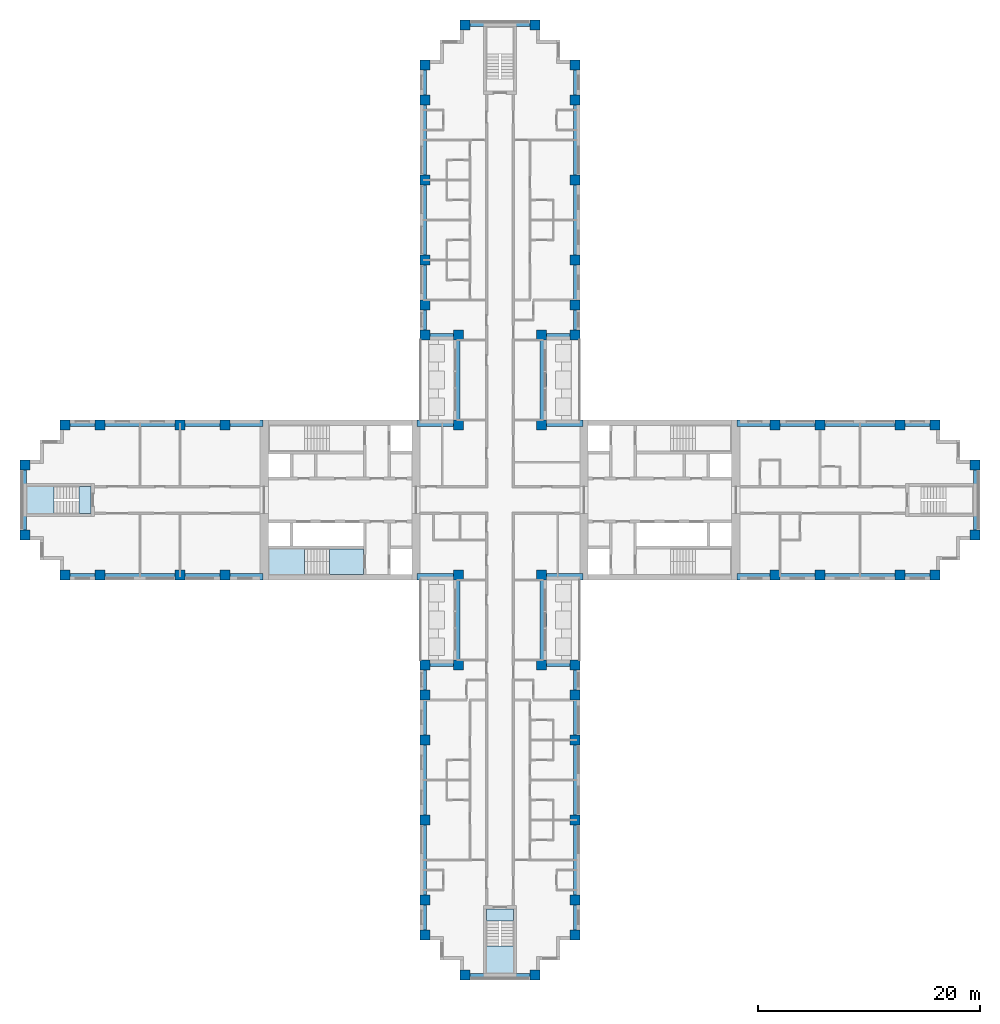
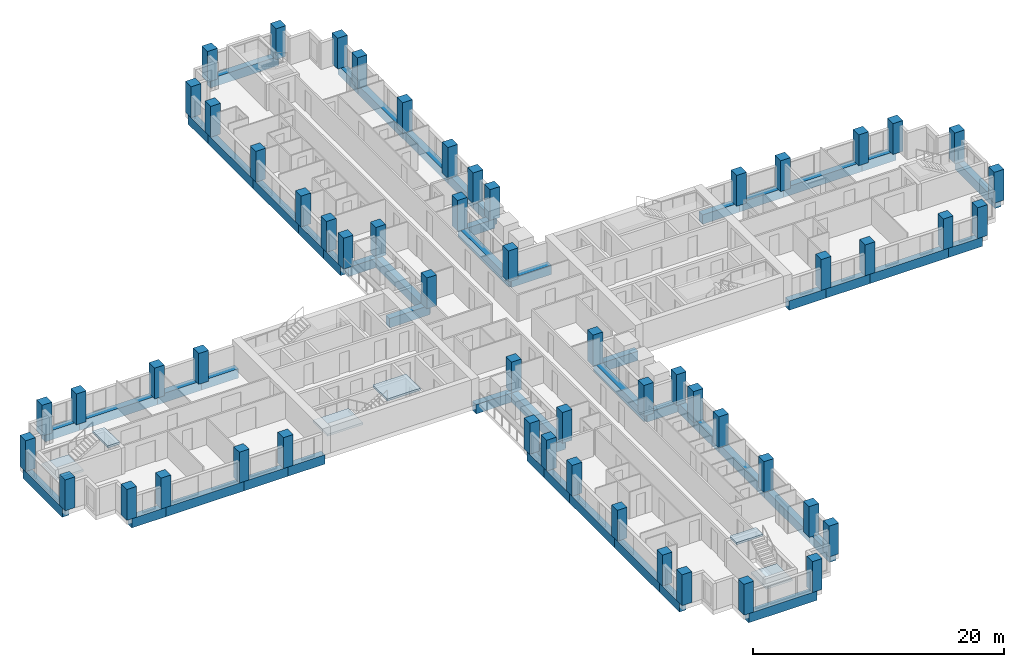
# One storey, part 1 of 15: 56 columns, 52 beams, 6 slabs, 3 elements without a shape of their own.
"""IFC4 building model written with IfcOpenShell, lengths in metres."""

from ifc_helpers import new_model, si_unit, direction, frame, origin, origin_2d, place, context, subcontext, project, spatial, polyline, rectangle, outline, extrude, material, layer, layer_set, material_profile, profile_set, type_object, element, aggregate, save


model = new_model("IFC4")

# Units and contexts
model_context = context("Model", 3, precision=1e-05, world=origin(), true_north=direction((0.0, 1.0)))
body_context = subcontext(model_context, "Body", "Model", "MODEL_VIEW")
ifc_project = project(units=[si_unit("LENGTHUNIT", "METRE"), si_unit("AREAUNIT", "SQUARE_METRE"), si_unit("VOLUMEUNIT", "CUBIC_METRE"), si_unit("PLANEANGLEUNIT", "RADIAN"), si_unit("MASSUNIT", "GRAM", prefix="KILO")], contexts=[model_context])

# Site, building, storey
site_placement = place(None, origin())
site = spatial("IfcSite", under=ifc_project, at=site_placement, CompositionType="ELEMENT")
building_placement = place(site_placement, origin())
building = spatial("IfcBuilding", under=site, at=building_placement, Name="Fustian Cross Tower", CompositionType="ELEMENT")
storey_placement = place(building_placement, frame((0.0, 0.0, 29.699951171875)))
storey = spatial("IfcBuildingStorey", under=building, at=storey_placement, Name="L08", CompositionType="ELEMENT", Elevation=29.699951171875)

# Columns
ifc_material_1 = material(Name="Concrete C70/85", Category="concrete")
ifc_material_profile_1 = material_profile(ifc_material_1, rectangle(XDim=0.89990234375, YDim=0.89990234375, at=origin_2d()), Name="RC 900x900")
ifc_profile_set_1 = profile_set([ifc_material_profile_1], Name="Concrete C70/85")
column_type = type_object("IfcColumnType", Name="COLUMN RC 900x900 C70/85", PredefinedType="COLUMN", material=ifc_profile_set_1)
for number, where, z_axis, x_axis, name in (
    (1, (-42.75, -3.14990234375, 0.0), (0.0, 0.0, 1.0), (1.0, 0.0, 0.0), "COLUMN 001"),
    (2, (-42.75, 3.14990234375, 0.0), (0.0, 0.0, 1.0), (1.0, 0.0, 0.0), "COLUMN 002"),
    (3, (-39.14990234375, -6.75, 0.0), (0.0, 0.0, 1.0), (1.0, 0.0, 0.0), "COLUMN 003"),
    (4, (-39.14990234375, 6.75, 0.0), (0.0, 0.0, 1.0), (1.0, 0.0, 0.0), "COLUMN 004"),
    (5, (-36.0, -6.75, 0.0), (0.0, 0.0, 1.0), (1.0, 0.0, 0.0), "COLUMN 005"),
    (6, (-36.0, 6.75, 0.0), (0.0, 0.0, 1.0), (1.0, 0.0, 0.0), "COLUMN 006"),
    (7, (-28.800048828125, -6.75, 0.0), (0.0, 0.0, 1.0), (1.0, 0.0, 0.0), "COLUMN 007"),
    (8, (-28.800048828125, 6.75, 0.0), (0.0, 0.0, 1.0), (1.0, 0.0, 0.0), "COLUMN 010"),
    (9, (-24.75, -6.75, 0.0), (0.0, 0.0, 1.0), (1.0, 0.0, 0.0), "COLUMN 011"),
    (10, (-24.75, 6.75, 0.0), (0.0, 0.0, 1.0), (1.0, 0.0, 0.0), "COLUMN 012"),
    (11, (-6.75, -39.14990234375, 0.0), (0.0, 0.0, 1.0), (1.0, 0.0, 0.0), "COLUMN 013"),
    (12, (-6.75, -36.0, 0.0), (0.0, 0.0, 1.0), (1.0, 0.0, 0.0), "COLUMN 014"),
    (13, (-6.75, -28.800048828125, 0.0), (0.0, 0.0, 1.0), (1.0, 0.0, 0.0), "COLUMN 015"),
    (14, (-6.75, -21.60009765625, 0.0), (0.0, 0.0, 1.0), (1.0, 0.0, 0.0), "COLUMN 016"),
    (15, (-6.75, -17.550048828125, 0.0), (0.0, 0.0, 1.0), (1.0, 0.0, 0.0), "COLUMN 017"),
    (16, (-6.75, -14.85009765625, 0.0), (0.0, 0.0, 1.0), (1.0, 0.0, 0.0), "COLUMN 018"),
    (17, (-6.75, 14.85009765625, 0.0), (0.0, 0.0, 1.0), (1.0, 0.0, 0.0), "COLUMN 019"),
    (18, (-6.75, 17.550048828125, 0.0), (0.0, 0.0, 1.0), (1.0, 0.0, 0.0), "COLUMN 020"),
    (19, (-6.75, 21.60009765625, 0.0), (0.0, 0.0, 1.0), (1.0, 0.0, 0.0), "COLUMN 021"),
    (20, (-6.75, 28.800048828125, 0.0), (0.0, 0.0, 1.0), (1.0, 0.0, 0.0), "COLUMN 022"),
    (21, (-6.75, 36.0, 0.0), (0.0, 0.0, 1.0), (1.0, 0.0, 0.0), "COLUMN 023"),
    (22, (-6.75, 39.14990234375, 0.0), (0.0, 0.0, 1.0), (1.0, 0.0, 0.0), "COLUMN 024"),
    (23, (-3.75, -14.85009765625, 0.0), (0.0, 0.0, 1.0), (1.0, 0.0, 0.0), "COLUMN 025"),
    (24, (-3.75, -6.75, 0.0), (0.0, 0.0, 1.0), (1.0, 0.0, 0.0), "COLUMN 026"),
    (25, (-3.75, 6.75, 0.0), (0.0, 0.0, 1.0), (1.0, 0.0, 0.0), "COLUMN 027"),
    (26, (-3.75, 14.85009765625, 0.0), (0.0, 0.0, 1.0), (1.0, 0.0, 0.0), "COLUMN 028"),
    (27, (-3.14990234375, -42.75, 0.0), (0.0, 0.0, 1.0), (1.0, 0.0, 0.0), "COLUMN 029"),
    (28, (-3.14990234375, 42.75, 0.0), (0.0, 0.0, 1.0), (1.0, 0.0, 0.0), "COLUMN 032"),
    (29, (3.14990234375, -42.75, 0.0), (0.0, 0.0, 1.0), (1.0, 0.0, 0.0), "COLUMN 033"),
    (30, (3.14990234375, 42.75, 0.0), (0.0, 0.0, 1.0), (1.0, 0.0, 0.0), "COLUMN 036"),
    (31, (3.75, -14.85009765625, 0.0), (0.0, 0.0, 1.0), (1.0, 0.0, 0.0), "COLUMN 037"),
    (32, (3.75, -6.75, 0.0), (0.0, 0.0, 1.0), (1.0, 0.0, 0.0), "COLUMN 038"),
    (33, (3.75, 6.75, 0.0), (0.0, 0.0, 1.0), (1.0, 0.0, 0.0), "COLUMN 039"),
    (34, (3.75, 14.85009765625, 0.0), (0.0, 0.0, 1.0), (1.0, 0.0, 0.0), "COLUMN 040"),
    (35, (6.75, -39.14990234375, 0.0), (0.0, 0.0, 1.0), (1.0, 0.0, 0.0), "COLUMN 041"),
    (36, (6.75, -36.0, 0.0), (0.0, 0.0, 1.0), (1.0, 0.0, 0.0), "COLUMN 042"),
    (37, (6.75, -28.800048828125, 0.0), (0.0, 0.0, 1.0), (1.0, 0.0, 0.0), "COLUMN 043"),
    (38, (6.75, -21.60009765625, 0.0), (0.0, 0.0, 1.0), (1.0, 0.0, 0.0), "COLUMN 044"),
    (39, (6.75, -17.550048828125, 0.0), (0.0, 0.0, 1.0), (1.0, 0.0, 0.0), "COLUMN 045"),
    (40, (6.75, -14.85009765625, 0.0), (0.0, 0.0, 1.0), (1.0, 0.0, 0.0), "COLUMN 046"),
    (41, (6.75, 14.85009765625, 0.0), (0.0, 0.0, 1.0), (1.0, 0.0, 0.0), "COLUMN 047"),
    (42, (6.75, 17.550048828125, 0.0), (0.0, 0.0, 1.0), (1.0, 0.0, 0.0), "COLUMN 048"),
    (43, (6.75, 21.60009765625, 0.0), (0.0, 0.0, 1.0), (1.0, 0.0, 0.0), "COLUMN 049"),
    (44, (6.75, 28.800048828125, 0.0), (0.0, 0.0, 1.0), (1.0, 0.0, 0.0), "COLUMN 050"),
    (45, (6.75, 36.0, 0.0), (0.0, 0.0, 1.0), (1.0, 0.0, 0.0), "COLUMN 051"),
    (46, (6.75, 39.14990234375, 0.0), (0.0, 0.0, 1.0), (1.0, 0.0, 0.0), "COLUMN 052"),
    (47, (24.75, -6.75, 0.0), (0.0, 0.0, 1.0), (1.0, 0.0, 0.0), "COLUMN 053"),
    (48, (24.75, 6.75, 0.0), (0.0, 0.0, 1.0), (1.0, 0.0, 0.0), "COLUMN 054"),
    (49, (28.800048828125, -6.75, 0.0), (0.0, 0.0, 1.0), (1.0, 0.0, 0.0), "COLUMN 055"),
    (50, (28.800048828125, 6.75, 0.0), (0.0, 0.0, 1.0), (1.0, 0.0, 0.0), "COLUMN 058"),
    (51, (36.0, -6.75, 0.0), (0.0, 0.0, 1.0), (1.0, 0.0, 0.0), "COLUMN 059"),
    (52, (36.0, 6.75, 0.0), (0.0, 0.0, 1.0), (1.0, 0.0, 0.0), "COLUMN 060"),
    (53, (39.14990234375, -6.75, 0.0), (0.0, 0.0, 1.0), (1.0, 0.0, 0.0), "COLUMN 061"),
    (54, (39.14990234375, 6.75, 0.0), (0.0, 0.0, 1.0), (1.0, 0.0, 0.0), "COLUMN 062"),
    (55, (42.75, -3.14990234375, 0.0), (0.0, 0.0, 1.0), (1.0, 0.0, 0.0), "COLUMN 063"),
    (56, (42.75, 3.14990234375, 0.0), (0.0, 0.0, 1.0), (1.0, 0.0, 0.0), "COLUMN 064"),
):
    element("IfcColumn", number, at=place(storey_placement, frame(where, z_axis=z_axis, x_axis=x_axis)), inside=storey, type_object=column_type, Name=name, PredefinedType="COLUMN", context=body_context, shape_type="SweptSolid", body=[
        extrude(rectangle(XDim=0.89990234375, YDim=0.89990234375, at=origin_2d()), origin(), (0.0, 0.0, 1.0), 3.0),
    ])

# Beams
ifc_material_2 = material(Name="Concrete C50/60", Category="concrete")
ifc_material_profile_2 = material_profile(ifc_material_2, rectangle(XDim=0.60009765625, YDim=0.89990234375, at=origin_2d()), Name="RC 600x900")
ifc_profile_set_2 = profile_set([ifc_material_profile_2], Name="Concrete C50/60")
beam_type = type_object("IfcBeamType", Name="EDGE BEAM RC 600x900 C50/60", PredefinedType="SPANDREL", material=ifc_profile_set_2)
beam_1_placement = place(storey_placement, frame((21.35009765625, -6.89990234375, -0.449951171875), z_axis=(1.0, 0.0, 0.0), x_axis=(0.0, 1.0, 0.0)))
element("IfcBeam", 57, at=beam_1_placement, inside=storey, type_object=beam_type, Name="EDGE BEAM L08-01", PredefinedType="SPANDREL", context=body_context, shape_type="SweptSolid", body=[
    extrude(rectangle(XDim=0.60009765625, YDim=0.89990234375, at=origin_2d()), origin(), (0.0, 0.0, 1.0), 3.39990234375),
])
beam_2_placement = place(storey_placement, frame((24.75, -6.89990234375, -0.449951171875), z_axis=(1.0, 0.0, 0.0), x_axis=(0.0, 1.0, 0.0)))
element("IfcBeam", 58, at=beam_2_placement, inside=storey, type_object=beam_type, Name="EDGE BEAM L08-02", PredefinedType="SPANDREL", context=body_context, shape_type="SweptSolid", body=[
    extrude(rectangle(XDim=0.60009765625, YDim=0.89990234375, at=origin_2d()), origin(), (0.0, 0.0, 1.0), 4.050048828125),
])
beam_3_placement = place(storey_placement, frame((28.800048828125, -6.89990234375, -0.449951171875), z_axis=(1.0, 0.0, 0.0), x_axis=(0.0, 1.0, 0.0)))
element("IfcBeam", 59, at=beam_3_placement, inside=storey, type_object=beam_type, Name="EDGE BEAM L08-03", PredefinedType="SPANDREL", context=body_context, shape_type="SweptSolid", body=[
    extrude(rectangle(XDim=0.60009765625, YDim=0.89990234375, at=origin_2d()), origin(), (0.0, 0.0, 1.0), 7.199951171875),
])
beam_4_placement = place(storey_placement, frame((36.0, -6.89990234375, -0.449951171875), z_axis=(1.0, 0.0, 0.0), x_axis=(0.0, 1.0, 0.0)))
element("IfcBeam", 60, at=beam_4_placement, inside=storey, type_object=beam_type, Name="EDGE BEAM L08-04", PredefinedType="SPANDREL", context=body_context, shape_type="SweptSolid", body=[
    extrude(rectangle(XDim=0.60009765625, YDim=0.89990234375, at=origin_2d()), origin(), (0.0, 0.0, 1.0), 3.14990234375),
])
beam_5_placement = place(storey_placement, frame((42.89990234375, -3.14990234375, -0.449951171875), z_axis=(0.0, 1.0, 0.0), x_axis=(-1.0, 0.0, 0.0)))
element("IfcBeam", 61, at=beam_5_placement, inside=storey, type_object=beam_type, Name="EDGE BEAM L08-05", PredefinedType="SPANDREL", context=body_context, shape_type="SweptSolid", body=[
    extrude(rectangle(XDim=0.60009765625, YDim=0.89990234375, at=origin_2d()), origin(), (0.0, 0.0, 1.0), 6.2998046875),
])
beam_6_placement = place(storey_placement, frame((39.14990234375, 6.89990234375, -0.449951171875), z_axis=(-1.0, 0.0, 0.0), x_axis=(0.0, -1.0, 0.0)))
element("IfcBeam", 62, at=beam_6_placement, inside=storey, type_object=beam_type, Name="EDGE BEAM L08-06", PredefinedType="SPANDREL", context=body_context, shape_type="SweptSolid", body=[
    extrude(rectangle(XDim=0.60009765625, YDim=0.89990234375, at=origin_2d()), origin(), (0.0, 0.0, 1.0), 3.14990234375),
])
beam_7_placement = place(storey_placement, frame((36.0, 6.89990234375, -0.449951171875), z_axis=(-1.0, 0.0, 0.0), x_axis=(0.0, -1.0, 0.0)))
element("IfcBeam", 63, at=beam_7_placement, inside=storey, type_object=beam_type, Name="EDGE BEAM L08-07", PredefinedType="SPANDREL", context=body_context, shape_type="SweptSolid", body=[
    extrude(rectangle(XDim=0.60009765625, YDim=0.89990234375, at=origin_2d()), origin(), (0.0, 0.0, 1.0), 7.199951171875),
])
beam_8_placement = place(storey_placement, frame((28.800048828125, 6.89990234375, -0.449951171875), z_axis=(-1.0, 0.0, 0.0), x_axis=(0.0, -1.0, 0.0)))
element("IfcBeam", 64, at=beam_8_placement, inside=storey, type_object=beam_type, Name="EDGE BEAM L08-08", PredefinedType="SPANDREL", context=body_context, shape_type="SweptSolid", body=[
    extrude(rectangle(XDim=0.60009765625, YDim=0.89990234375, at=origin_2d()), origin(), (0.0, 0.0, 1.0), 4.050048828125),
])
beam_9_placement = place(storey_placement, frame((24.75, 6.89990234375, -0.449951171875), z_axis=(-1.0, 0.0, 0.0), x_axis=(0.0, -1.0, 0.0)))
element("IfcBeam", 65, at=beam_9_placement, inside=storey, type_object=beam_type, Name="EDGE BEAM L08-09", PredefinedType="SPANDREL", context=body_context, shape_type="SweptSolid", body=[
    extrude(rectangle(XDim=0.60009765625, YDim=0.89990234375, at=origin_2d()), origin(), (0.0, 0.0, 1.0), 3.39990234375),
])
beam_10_placement = place(storey_placement, frame((7.449951171875, 6.89990234375, -0.449951171875), z_axis=(-1.0, 0.0, 0.0), x_axis=(0.0, -1.0, 0.0)))
element("IfcBeam", 66, at=beam_10_placement, inside=storey, type_object=beam_type, Name="EDGE BEAM L08-10", PredefinedType="SPANDREL", context=body_context, shape_type="SweptSolid", body=[
    extrude(rectangle(XDim=0.60009765625, YDim=0.89990234375, at=origin_2d()), origin(), (0.0, 0.0, 1.0), 3.699951171875),
])
beam_11_placement = place(storey_placement, frame((3.89990234375, 6.75, -0.449951171875), z_axis=(0.0, 1.0, 0.0), x_axis=(-1.0, 0.0, 0.0)))
element("IfcBeam", 67, at=beam_11_placement, inside=storey, type_object=beam_type, Name="EDGE BEAM L08-11", PredefinedType="SPANDREL", context=body_context, shape_type="SweptSolid", body=[
    extrude(rectangle(XDim=0.60009765625, YDim=0.89990234375, at=origin_2d()), origin(), (0.0, 0.0, 1.0), 8.10009765625),
])
beam_12_placement = place(storey_placement, frame((3.75, 14.699951171875, -0.449951171875), z_axis=(1.0, 0.0, 0.0), x_axis=(0.0, 1.0, 0.0)))
element("IfcBeam", 68, at=beam_12_placement, inside=storey, type_object=beam_type, Name="EDGE BEAM L08-12", PredefinedType="SPANDREL", context=body_context, shape_type="SweptSolid", body=[
    extrude(rectangle(XDim=0.60009765625, YDim=0.89990234375, at=origin_2d()), origin(), (0.0, 0.0, 1.0), 3.0),
])
beam_13_placement = place(storey_placement, frame((6.89990234375, 14.85009765625, -0.449951171875), z_axis=(0.0, 1.0, 0.0), x_axis=(-1.0, 0.0, 0.0)))
element("IfcBeam", 69, at=beam_13_placement, inside=storey, type_object=beam_type, Name="EDGE BEAM L08-13", PredefinedType="SPANDREL", context=body_context, shape_type="SweptSolid", body=[
    extrude(rectangle(XDim=0.60009765625, YDim=0.89990234375, at=origin_2d()), origin(), (0.0, 0.0, 1.0), 2.699951171875),
])
beam_14_placement = place(storey_placement, frame((6.89990234375, 17.550048828125, -0.449951171875), z_axis=(0.0, 1.0, 0.0), x_axis=(-1.0, 0.0, 0.0)))
element("IfcBeam", 70, at=beam_14_placement, inside=storey, type_object=beam_type, Name="EDGE BEAM L08-14", PredefinedType="SPANDREL", context=body_context, shape_type="SweptSolid", body=[
    extrude(rectangle(XDim=0.60009765625, YDim=0.89990234375, at=origin_2d()), origin(), (0.0, 0.0, 1.0), 4.050048828125),
])
for number, where, z_axis, x_axis, name in (
    (71, (6.89990234375, 21.60009765625, -0.449951171875), (0.0, 1.0, 0.0), (-1.0, 0.0, 0.0), "EDGE BEAM L08-15"),
    (72, (6.89990234375, 28.800048828125, -0.449951171875), (0.0, 1.0, 0.0), (-1.0, 0.0, 0.0), "EDGE BEAM L08-16"),
):
    element("IfcBeam", number, at=place(storey_placement, frame(where, z_axis=z_axis, x_axis=x_axis)), inside=storey, type_object=beam_type, Name=name, PredefinedType="SPANDREL", context=body_context, shape_type="SweptSolid", body=[
        extrude(rectangle(XDim=0.60009765625, YDim=0.89990234375, at=origin_2d()), origin(), (0.0, 0.0, 1.0), 7.199951171875),
    ])
beam_15_placement = place(storey_placement, frame((6.89990234375, 36.0, -0.449951171875), z_axis=(0.0, 1.0, 0.0), x_axis=(-1.0, 0.0, 0.0)))
element("IfcBeam", 73, at=beam_15_placement, inside=storey, type_object=beam_type, Name="EDGE BEAM L08-17", PredefinedType="SPANDREL", context=body_context, shape_type="SweptSolid", body=[
    extrude(rectangle(XDim=0.60009765625, YDim=0.89990234375, at=origin_2d()), origin(), (0.0, 0.0, 1.0), 3.14990234375),
])
beam_16_placement = place(storey_placement, frame((3.14990234375, 42.89990234375, -0.449951171875), z_axis=(-1.0, 0.0, 0.0), x_axis=(0.0, -1.0, 0.0)))
element("IfcBeam", 74, at=beam_16_placement, inside=storey, type_object=beam_type, Name="EDGE BEAM L08-18", PredefinedType="SPANDREL", context=body_context, shape_type="SweptSolid", body=[
    extrude(rectangle(XDim=0.60009765625, YDim=0.89990234375, at=origin_2d()), origin(), (0.0, 0.0, 1.0), 6.2998046875),
])
beam_17_placement = place(storey_placement, frame((-6.89990234375, 39.14990234375, -0.449951171875), z_axis=(0.0, -1.0, 0.0), x_axis=(1.0, 0.0, 0.0)))
element("IfcBeam", 75, at=beam_17_placement, inside=storey, type_object=beam_type, Name="EDGE BEAM L08-19", PredefinedType="SPANDREL", context=body_context, shape_type="SweptSolid", body=[
    extrude(rectangle(XDim=0.60009765625, YDim=0.89990234375, at=origin_2d()), origin(), (0.0, 0.0, 1.0), 3.14990234375),
])
for number, where, z_axis, x_axis, name in (
    (76, (-6.89990234375, 36.0, -0.449951171875), (0.0, -1.0, 0.0), (1.0, 0.0, 0.0), "EDGE BEAM L08-20"),
    (77, (-6.89990234375, 28.800048828125, -0.449951171875), (0.0, -1.0, 0.0), (1.0, 0.0, 0.0), "EDGE BEAM L08-21"),
):
    element("IfcBeam", number, at=place(storey_placement, frame(where, z_axis=z_axis, x_axis=x_axis)), inside=storey, type_object=beam_type, Name=name, PredefinedType="SPANDREL", context=body_context, shape_type="SweptSolid", body=[
        extrude(rectangle(XDim=0.60009765625, YDim=0.89990234375, at=origin_2d()), origin(), (0.0, 0.0, 1.0), 7.199951171875),
    ])
beam_18_placement = place(storey_placement, frame((-6.89990234375, 21.60009765625, -0.449951171875), z_axis=(0.0, -1.0, 0.0), x_axis=(1.0, 0.0, 0.0)))
element("IfcBeam", 78, at=beam_18_placement, inside=storey, type_object=beam_type, Name="EDGE BEAM L08-22", PredefinedType="SPANDREL", context=body_context, shape_type="SweptSolid", body=[
    extrude(rectangle(XDim=0.60009765625, YDim=0.89990234375, at=origin_2d()), origin(), (0.0, 0.0, 1.0), 4.050048828125),
])
beam_19_placement = place(storey_placement, frame((-6.89990234375, 17.550048828125, -0.449951171875), z_axis=(0.0, -1.0, 0.0), x_axis=(1.0, 0.0, 0.0)))
element("IfcBeam", 79, at=beam_19_placement, inside=storey, type_object=beam_type, Name="EDGE BEAM L08-23", PredefinedType="SPANDREL", context=body_context, shape_type="SweptSolid", body=[
    extrude(rectangle(XDim=0.60009765625, YDim=0.89990234375, at=origin_2d()), origin(), (0.0, 0.0, 1.0), 2.699951171875),
])
beam_20_placement = place(storey_placement, frame((-6.75, 14.699951171875, -0.449951171875), z_axis=(1.0, 0.0, 0.0), x_axis=(0.0, 1.0, 0.0)))
element("IfcBeam", 80, at=beam_20_placement, inside=storey, type_object=beam_type, Name="EDGE BEAM L08-24", PredefinedType="SPANDREL", context=body_context, shape_type="SweptSolid", body=[
    extrude(rectangle(XDim=0.60009765625, YDim=0.89990234375, at=origin_2d()), origin(), (0.0, 0.0, 1.0), 3.0),
])
beam_21_placement = place(storey_placement, frame((-3.89990234375, 14.85009765625, -0.449951171875), z_axis=(0.0, -1.0, 0.0), x_axis=(1.0, 0.0, 0.0)))
element("IfcBeam", 81, at=beam_21_placement, inside=storey, type_object=beam_type, Name="EDGE BEAM L08-25", PredefinedType="SPANDREL", context=body_context, shape_type="SweptSolid", body=[
    extrude(rectangle(XDim=0.60009765625, YDim=0.89990234375, at=origin_2d()), origin(), (0.0, 0.0, 1.0), 8.10009765625),
])
beam_22_placement = place(storey_placement, frame((-3.75, 6.89990234375, -0.449951171875), z_axis=(-1.0, 0.0, 0.0), x_axis=(0.0, -1.0, 0.0)))
element("IfcBeam", 82, at=beam_22_placement, inside=storey, type_object=beam_type, Name="EDGE BEAM L08-26", PredefinedType="SPANDREL", context=body_context, shape_type="SweptSolid", body=[
    extrude(rectangle(XDim=0.60009765625, YDim=0.89990234375, at=origin_2d()), origin(), (0.0, 0.0, 1.0), 3.699951171875),
])
beam_23_placement = place(storey_placement, frame((-21.35009765625, 6.89990234375, -0.449951171875), z_axis=(-1.0, 0.0, 0.0), x_axis=(0.0, -1.0, 0.0)))
element("IfcBeam", 83, at=beam_23_placement, inside=storey, type_object=beam_type, Name="EDGE BEAM L08-27", PredefinedType="SPANDREL", context=body_context, shape_type="SweptSolid", body=[
    extrude(rectangle(XDim=0.60009765625, YDim=0.89990234375, at=origin_2d()), origin(), (0.0, 0.0, 1.0), 3.39990234375),
])
beam_24_placement = place(storey_placement, frame((-24.75, 6.89990234375, -0.449951171875), z_axis=(-1.0, 0.0, 0.0), x_axis=(0.0, -1.0, 0.0)))
element("IfcBeam", 84, at=beam_24_placement, inside=storey, type_object=beam_type, Name="EDGE BEAM L08-28", PredefinedType="SPANDREL", context=body_context, shape_type="SweptSolid", body=[
    extrude(rectangle(XDim=0.60009765625, YDim=0.89990234375, at=origin_2d()), origin(), (0.0, 0.0, 1.0), 4.050048828125),
])
beam_25_placement = place(storey_placement, frame((-28.800048828125, 6.89990234375, -0.449951171875), z_axis=(-1.0, 0.0, 0.0), x_axis=(0.0, -1.0, 0.0)))
element("IfcBeam", 85, at=beam_25_placement, inside=storey, type_object=beam_type, Name="EDGE BEAM L08-29", PredefinedType="SPANDREL", context=body_context, shape_type="SweptSolid", body=[
    extrude(rectangle(XDim=0.60009765625, YDim=0.89990234375, at=origin_2d()), origin(), (0.0, 0.0, 1.0), 7.199951171875),
])
beam_26_placement = place(storey_placement, frame((-36.0, 6.89990234375, -0.449951171875), z_axis=(-1.0, 0.0, 0.0), x_axis=(0.0, -1.0, 0.0)))
element("IfcBeam", 86, at=beam_26_placement, inside=storey, type_object=beam_type, Name="EDGE BEAM L08-30", PredefinedType="SPANDREL", context=body_context, shape_type="SweptSolid", body=[
    extrude(rectangle(XDim=0.60009765625, YDim=0.89990234375, at=origin_2d()), origin(), (0.0, 0.0, 1.0), 3.14990234375),
])
beam_27_placement = place(storey_placement, frame((-42.89990234375, 3.14990234375, -0.449951171875), z_axis=(0.0, -1.0, 0.0), x_axis=(1.0, 0.0, 0.0)))
element("IfcBeam", 87, at=beam_27_placement, inside=storey, type_object=beam_type, Name="EDGE BEAM L08-31", PredefinedType="SPANDREL", context=body_context, shape_type="SweptSolid", body=[
    extrude(rectangle(XDim=0.60009765625, YDim=0.89990234375, at=origin_2d()), origin(), (0.0, 0.0, 1.0), 6.2998046875),
])
beam_28_placement = place(storey_placement, frame((-39.14990234375, -6.89990234375, -0.449951171875), z_axis=(1.0, 0.0, 0.0), x_axis=(0.0, 1.0, 0.0)))
element("IfcBeam", 88, at=beam_28_placement, inside=storey, type_object=beam_type, Name="EDGE BEAM L08-32", PredefinedType="SPANDREL", context=body_context, shape_type="SweptSolid", body=[
    extrude(rectangle(XDim=0.60009765625, YDim=0.89990234375, at=origin_2d()), origin(), (0.0, 0.0, 1.0), 3.14990234375),
])
beam_29_placement = place(storey_placement, frame((-36.0, -6.89990234375, -0.449951171875), z_axis=(1.0, 0.0, 0.0), x_axis=(0.0, 1.0, 0.0)))
element("IfcBeam", 89, at=beam_29_placement, inside=storey, type_object=beam_type, Name="EDGE BEAM L08-33", PredefinedType="SPANDREL", context=body_context, shape_type="SweptSolid", body=[
    extrude(rectangle(XDim=0.60009765625, YDim=0.89990234375, at=origin_2d()), origin(), (0.0, 0.0, 1.0), 7.199951171875),
])
beam_30_placement = place(storey_placement, frame((-28.800048828125, -6.89990234375, -0.449951171875), z_axis=(1.0, 0.0, 0.0), x_axis=(0.0, 1.0, 0.0)))
element("IfcBeam", 90, at=beam_30_placement, inside=storey, type_object=beam_type, Name="EDGE BEAM L08-34", PredefinedType="SPANDREL", context=body_context, shape_type="SweptSolid", body=[
    extrude(rectangle(XDim=0.60009765625, YDim=0.89990234375, at=origin_2d()), origin(), (0.0, 0.0, 1.0), 4.050048828125),
])
beam_31_placement = place(storey_placement, frame((-24.75, -6.89990234375, -0.449951171875), z_axis=(1.0, 0.0, 0.0), x_axis=(0.0, 1.0, 0.0)))
element("IfcBeam", 91, at=beam_31_placement, inside=storey, type_object=beam_type, Name="EDGE BEAM L08-35", PredefinedType="SPANDREL", context=body_context, shape_type="SweptSolid", body=[
    extrude(rectangle(XDim=0.60009765625, YDim=0.89990234375, at=origin_2d()), origin(), (0.0, 0.0, 1.0), 3.39990234375),
])
beam_32_placement = place(storey_placement, frame((-7.449951171875, -6.89990234375, -0.449951171875), z_axis=(1.0, 0.0, 0.0), x_axis=(0.0, 1.0, 0.0)))
element("IfcBeam", 92, at=beam_32_placement, inside=storey, type_object=beam_type, Name="EDGE BEAM L08-36", PredefinedType="SPANDREL", context=body_context, shape_type="SweptSolid", body=[
    extrude(rectangle(XDim=0.60009765625, YDim=0.89990234375, at=origin_2d()), origin(), (0.0, 0.0, 1.0), 3.699951171875),
])
beam_33_placement = place(storey_placement, frame((-3.89990234375, -6.75, -0.449951171875), z_axis=(0.0, -1.0, 0.0), x_axis=(1.0, 0.0, 0.0)))
element("IfcBeam", 93, at=beam_33_placement, inside=storey, type_object=beam_type, Name="EDGE BEAM L08-37", PredefinedType="SPANDREL", context=body_context, shape_type="SweptSolid", body=[
    extrude(rectangle(XDim=0.60009765625, YDim=0.89990234375, at=origin_2d()), origin(), (0.0, 0.0, 1.0), 8.10009765625),
])
beam_34_placement = place(storey_placement, frame((-3.75, -14.699951171875, -0.449951171875), z_axis=(-1.0, 0.0, 0.0), x_axis=(0.0, -1.0, 0.0)))
element("IfcBeam", 94, at=beam_34_placement, inside=storey, type_object=beam_type, Name="EDGE BEAM L08-38", PredefinedType="SPANDREL", context=body_context, shape_type="SweptSolid", body=[
    extrude(rectangle(XDim=0.60009765625, YDim=0.89990234375, at=origin_2d()), origin(), (0.0, 0.0, 1.0), 3.0),
])
beam_35_placement = place(storey_placement, frame((-6.89990234375, -14.85009765625, -0.449951171875), z_axis=(0.0, -1.0, 0.0), x_axis=(1.0, 0.0, 0.0)))
element("IfcBeam", 95, at=beam_35_placement, inside=storey, type_object=beam_type, Name="EDGE BEAM L08-39", PredefinedType="SPANDREL", context=body_context, shape_type="SweptSolid", body=[
    extrude(rectangle(XDim=0.60009765625, YDim=0.89990234375, at=origin_2d()), origin(), (0.0, 0.0, 1.0), 2.699951171875),
])
beam_36_placement = place(storey_placement, frame((-6.89990234375, -17.550048828125, -0.449951171875), z_axis=(0.0, -1.0, 0.0), x_axis=(1.0, 0.0, 0.0)))
element("IfcBeam", 96, at=beam_36_placement, inside=storey, type_object=beam_type, Name="EDGE BEAM L08-40", PredefinedType="SPANDREL", context=body_context, shape_type="SweptSolid", body=[
    extrude(rectangle(XDim=0.60009765625, YDim=0.89990234375, at=origin_2d()), origin(), (0.0, 0.0, 1.0), 4.050048828125),
])
for number, where, z_axis, x_axis, name in (
    (97, (-6.89990234375, -21.60009765625, -0.449951171875), (0.0, -1.0, 0.0), (1.0, 0.0, 0.0), "EDGE BEAM L08-41"),
    (98, (-6.89990234375, -28.800048828125, -0.449951171875), (0.0, -1.0, 0.0), (1.0, 0.0, 0.0), "EDGE BEAM L08-42"),
):
    element("IfcBeam", number, at=place(storey_placement, frame(where, z_axis=z_axis, x_axis=x_axis)), inside=storey, type_object=beam_type, Name=name, PredefinedType="SPANDREL", context=body_context, shape_type="SweptSolid", body=[
        extrude(rectangle(XDim=0.60009765625, YDim=0.89990234375, at=origin_2d()), origin(), (0.0, 0.0, 1.0), 7.199951171875),
    ])
beam_37_placement = place(storey_placement, frame((-6.89990234375, -36.0, -0.449951171875), z_axis=(0.0, -1.0, 0.0), x_axis=(1.0, 0.0, 0.0)))
element("IfcBeam", 99, at=beam_37_placement, inside=storey, type_object=beam_type, Name="EDGE BEAM L08-43", PredefinedType="SPANDREL", context=body_context, shape_type="SweptSolid", body=[
    extrude(rectangle(XDim=0.60009765625, YDim=0.89990234375, at=origin_2d()), origin(), (0.0, 0.0, 1.0), 3.14990234375),
])
beam_38_placement = place(storey_placement, frame((-3.14990234375, -42.89990234375, -0.449951171875), z_axis=(1.0, 0.0, 0.0), x_axis=(0.0, 1.0, 0.0)))
element("IfcBeam", 100, at=beam_38_placement, inside=storey, type_object=beam_type, Name="EDGE BEAM L08-44", PredefinedType="SPANDREL", context=body_context, shape_type="SweptSolid", body=[
    extrude(rectangle(XDim=0.60009765625, YDim=0.89990234375, at=origin_2d()), origin(), (0.0, 0.0, 1.0), 6.2998046875),
])
beam_39_placement = place(storey_placement, frame((6.89990234375, -39.14990234375, -0.449951171875), z_axis=(0.0, 1.0, 0.0), x_axis=(-1.0, 0.0, 0.0)))
element("IfcBeam", 101, at=beam_39_placement, inside=storey, type_object=beam_type, Name="EDGE BEAM L08-45", PredefinedType="SPANDREL", context=body_context, shape_type="SweptSolid", body=[
    extrude(rectangle(XDim=0.60009765625, YDim=0.89990234375, at=origin_2d()), origin(), (0.0, 0.0, 1.0), 3.14990234375),
])
for number, where, z_axis, x_axis, name in (
    (102, (6.89990234375, -36.0, -0.449951171875), (0.0, 1.0, 0.0), (-1.0, 0.0, 0.0), "EDGE BEAM L08-46"),
    (103, (6.89990234375, -28.800048828125, -0.449951171875), (0.0, 1.0, 0.0), (-1.0, 0.0, 0.0), "EDGE BEAM L08-47"),
):
    element("IfcBeam", number, at=place(storey_placement, frame(where, z_axis=z_axis, x_axis=x_axis)), inside=storey, type_object=beam_type, Name=name, PredefinedType="SPANDREL", context=body_context, shape_type="SweptSolid", body=[
        extrude(rectangle(XDim=0.60009765625, YDim=0.89990234375, at=origin_2d()), origin(), (0.0, 0.0, 1.0), 7.199951171875),
    ])
beam_40_placement = place(storey_placement, frame((6.89990234375, -21.60009765625, -0.449951171875), z_axis=(0.0, 1.0, 0.0), x_axis=(-1.0, 0.0, 0.0)))
element("IfcBeam", 104, at=beam_40_placement, inside=storey, type_object=beam_type, Name="EDGE BEAM L08-48", PredefinedType="SPANDREL", context=body_context, shape_type="SweptSolid", body=[
    extrude(rectangle(XDim=0.60009765625, YDim=0.89990234375, at=origin_2d()), origin(), (0.0, 0.0, 1.0), 4.050048828125),
])
beam_41_placement = place(storey_placement, frame((6.89990234375, -17.550048828125, -0.449951171875), z_axis=(0.0, 1.0, 0.0), x_axis=(-1.0, 0.0, 0.0)))
element("IfcBeam", 105, at=beam_41_placement, inside=storey, type_object=beam_type, Name="EDGE BEAM L08-49", PredefinedType="SPANDREL", context=body_context, shape_type="SweptSolid", body=[
    extrude(rectangle(XDim=0.60009765625, YDim=0.89990234375, at=origin_2d()), origin(), (0.0, 0.0, 1.0), 2.699951171875),
])
beam_42_placement = place(storey_placement, frame((6.75, -14.699951171875, -0.449951171875), z_axis=(-1.0, 0.0, 0.0), x_axis=(0.0, -1.0, 0.0)))
element("IfcBeam", 106, at=beam_42_placement, inside=storey, type_object=beam_type, Name="EDGE BEAM L08-50", PredefinedType="SPANDREL", context=body_context, shape_type="SweptSolid", body=[
    extrude(rectangle(XDim=0.60009765625, YDim=0.89990234375, at=origin_2d()), origin(), (0.0, 0.0, 1.0), 3.0),
])
beam_43_placement = place(storey_placement, frame((3.89990234375, -14.85009765625, -0.449951171875), z_axis=(0.0, 1.0, 0.0), x_axis=(-1.0, 0.0, 0.0)))
element("IfcBeam", 107, at=beam_43_placement, inside=storey, type_object=beam_type, Name="EDGE BEAM L08-51", PredefinedType="SPANDREL", context=body_context, shape_type="SweptSolid", body=[
    extrude(rectangle(XDim=0.60009765625, YDim=0.89990234375, at=origin_2d()), origin(), (0.0, 0.0, 1.0), 8.10009765625),
])
beam_44_placement = place(storey_placement, frame((3.75, -6.89990234375, -0.449951171875), z_axis=(1.0, 0.0, 0.0), x_axis=(0.0, 1.0, 0.0)))
element("IfcBeam", 108, at=beam_44_placement, inside=storey, type_object=beam_type, Name="EDGE BEAM L08-52", PredefinedType="SPANDREL", context=body_context, shape_type="SweptSolid", body=[
    extrude(rectangle(XDim=0.60009765625, YDim=0.89990234375, at=origin_2d()), origin(), (0.0, 0.0, 1.0), 3.699951171875),
])

# Stair, slabs
ifc_material_3 = material(Name="Concrete C50/60", Category="concrete")
stair_type_1 = type_object("IfcStairType", Name="STAIR 1150 HALF TURN", PredefinedType="HALF_TURN_STAIR", material=ifc_material_3)
stair_1_placement = place(storey_placement, origin())
stair_1 = element("IfcStair", 109, at=stair_1_placement, inside=storey, type_object=stair_type_1, Name="Stair ST4", PredefinedType="HALF_TURN_STAIR")
ifc_material_4 = material(Name="Concrete C50/60", Category="concrete")
ifc_layer = layer(ifc_material_4, 0.199951171875)
ifc_layer_set = layer_set([ifc_layer], Name="Concrete C50/60")
slab_type = type_object("IfcSlabType", Name="STAIR LANDING", PredefinedType="LANDING", material=ifc_layer_set)
slab_1_placement = place(storey_placement, frame((0.0, 0.0, 1.300048828125)))
slab_1 = element("IfcSlab", 110, at=slab_1_placement, type_object=slab_type, Name="ST4 landing 1", PredefinedType="LANDING", context=body_context, shape_type="SweptSolid", body=[
    extrude(outline(polyline([(-17.590087890625, -4.39990234375), (-20.85009765625, -4.39990234375), (-20.85009765625, -6.699951171875), (-17.590087890625, -6.699951171875), (-17.590087890625, -4.39990234375)])), origin(), (0.0, 0.0, 1.0), 0.199951171875),
])
slab_2_placement = place(storey_placement, frame((0.0, 0.0, 2.800048828125)))
slab_2 = element("IfcSlab", 111, at=slab_2_placement, type_object=slab_type, Name="ST4 landing 2", PredefinedType="LANDING", context=body_context, shape_type="SweptSolid", body=[
    extrude(outline(polyline([(-12.300048828125, -4.39990234375), (-15.35009765625, -4.39990234375), (-15.35009765625, -6.699951171875), (-12.300048828125, -6.699951171875), (-12.300048828125, -4.39990234375)])), origin(), (0.0, 0.0, 1.0), 0.199951171875),
])
aggregate(stair_1, [slab_1, slab_2])

ifc_material_5 = material(Name="Concrete C50/60", Category="concrete")
stair_type_2 = type_object("IfcStairType", Name="STAIR 1100 HALF TURN", PredefinedType="HALF_TURN_STAIR", material=ifc_material_5)
stair_2_placement = place(storey_placement, origin())
stair_2 = element("IfcStair", 112, at=stair_2_placement, inside=storey, type_object=stair_type_2, Name="Stair ST6", PredefinedType="HALF_TURN_STAIR")
slab_3_placement = place(storey_placement, frame((0.0, 0.0, 1.300048828125)))
slab_3 = element("IfcSlab", 113, at=slab_3_placement, type_object=slab_type, Name="ST6 landing 1", PredefinedType="LANDING", context=body_context, shape_type="SweptSolid", body=[
    extrude(outline(polyline([(-1.199951171875, -40.139892578125), (-1.199951171875, -42.60009765625), (1.199951171875, -42.60009765625), (1.199951171875, -40.139892578125), (-1.199951171875, -40.139892578125)])), origin(), (0.0, 0.0, 1.0), 0.199951171875),
])
slab_4_placement = place(storey_placement, frame((0.0, 0.0, 2.800048828125)))
slab_4 = element("IfcSlab", 114, at=slab_4_placement, type_object=slab_type, Name="ST6 landing 2", PredefinedType="LANDING", context=body_context, shape_type="SweptSolid", body=[
    extrude(outline(polyline([(-1.199951171875, -36.800048828125), (-1.199951171875, -37.89990234375), (1.199951171875, -37.89990234375), (1.199951171875, -36.800048828125), (-1.199951171875, -36.800048828125)])), origin(), (0.0, 0.0, 1.0), 0.199951171875),
])
aggregate(stair_2, [slab_3, slab_4])

stair_3_placement = place(storey_placement, origin())
stair_3 = element("IfcStair", 115, at=stair_3_placement, inside=storey, type_object=stair_type_2, Name="Stair ST9", PredefinedType="HALF_TURN_STAIR")
slab_5_placement = place(storey_placement, frame((0.0, 0.0, 1.300048828125)))
slab_5 = element("IfcSlab", 116, at=slab_5_placement, type_object=slab_type, Name="ST9 landing 1", PredefinedType="LANDING", context=body_context, shape_type="SweptSolid", body=[
    extrude(outline(polyline([(-40.139892578125, -1.199951171875), (-42.60009765625, -1.199951171875), (-42.60009765625, 1.199951171875), (-40.139892578125, 1.199951171875), (-40.139892578125, -1.199951171875)])), origin(), (0.0, 0.0, 1.0), 0.199951171875),
])
slab_6_placement = place(storey_placement, frame((0.0, 0.0, 2.800048828125)))
slab_6 = element("IfcSlab", 117, at=slab_6_placement, type_object=slab_type, Name="ST9 landing 2", PredefinedType="LANDING", context=body_context, shape_type="SweptSolid", body=[
    extrude(outline(polyline([(-36.800048828125, -1.199951171875), (-37.89990234375, -1.199951171875), (-37.89990234375, 1.199951171875), (-36.800048828125, 1.199951171875), (-36.800048828125, -1.199951171875)])), origin(), (0.0, 0.0, 1.0), 0.199951171875),
])
aggregate(stair_3, [slab_5, slab_6])

save(model, "model.ifc")
